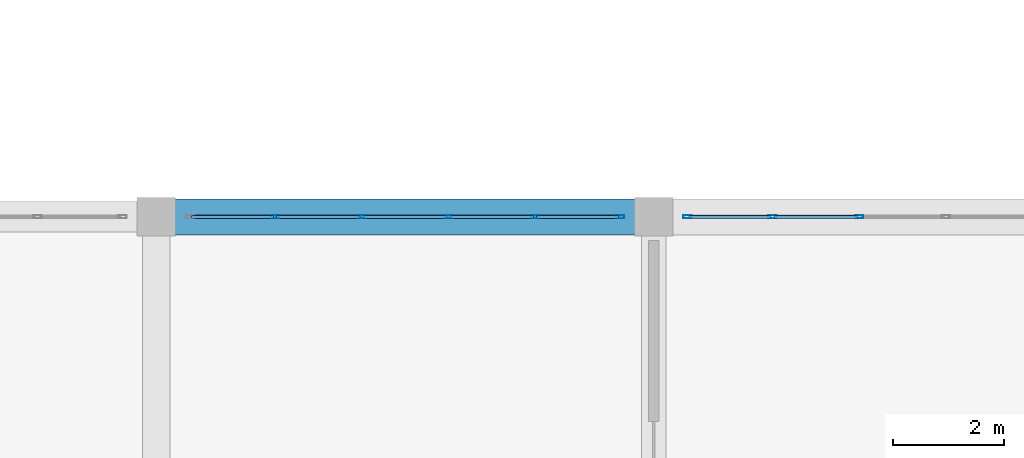
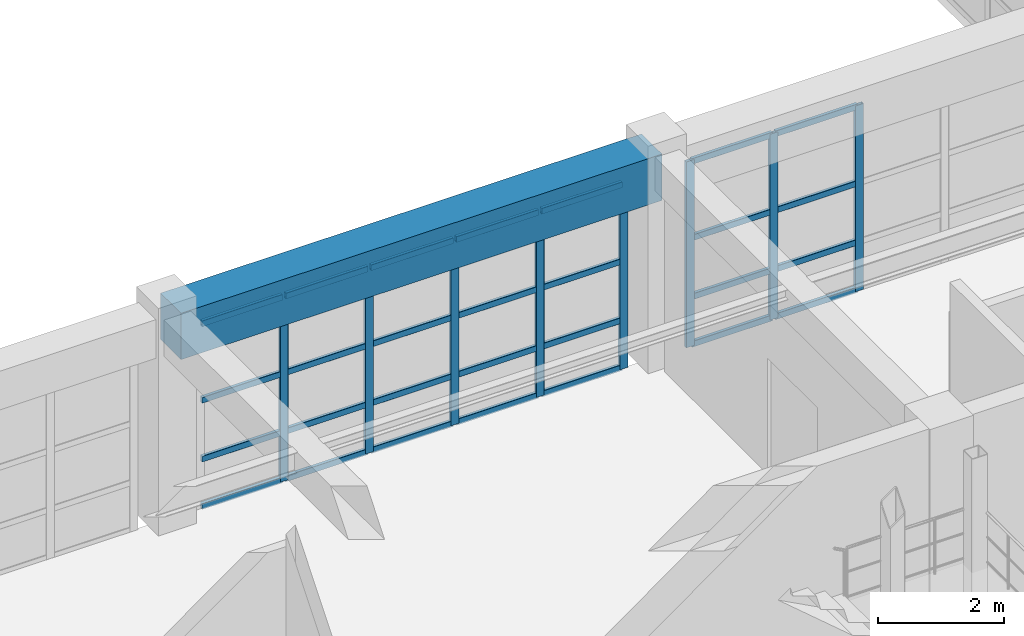
# One storey, part 58 of 133: 36 members, 1 beam, 2 elements without a shape of their own.
"""IFC4 building model written with IfcOpenShell, lengths in metres."""

from ifc_helpers import new_model, si_unit, direction, frame, origin, origin_2d, place, context, subcontext, project, spatial, rectangle, hollow_rectangle, extrude, material, material_profile, profile_set, type_object, element, aggregate, save


model = new_model("IFC4")

# Units and contexts
model_context = context("Model", 3, precision=1e-05, world=origin(), true_north=direction((0.0, 1.0)))
body_context = subcontext(model_context, "Body", "Model", "MODEL_VIEW")
ifc_project = project(units=[si_unit("LENGTHUNIT", "METRE"), si_unit("AREAUNIT", "SQUARE_METRE"), si_unit("VOLUMEUNIT", "CUBIC_METRE"), si_unit("PLANEANGLEUNIT", "RADIAN"), si_unit("MASSUNIT", "GRAM", prefix="KILO")], contexts=[model_context])

# Site, building, storey
site_placement = place(None, origin())
site = spatial("IfcSite", under=ifc_project, at=site_placement, CompositionType="ELEMENT")
building_placement = place(site_placement, origin())
building = spatial("IfcBuilding", under=site, at=building_placement, Name="Miravela Opera House", CompositionType="ELEMENT")
storey_placement = place(building_placement, frame((0.0, 0.0, 5.10009765625)))
storey = spatial("IfcBuildingStorey", under=building, at=storey_placement, Name="L01", CompositionType="ELEMENT", Elevation=5.10009765625)

# Curtain wall, members
ifc_material_1 = material(Name="Anodised architectural bronze aluminium 6063-T6", Category="aluminium")
curtain_wall_type = type_object("IfcCurtainWallType", Name="ARC-CW-05", PredefinedType="NOTDEFINED", material=ifc_material_1)
curtain_wall_1_placement = place(storey_placement, origin())
curtain_wall_1 = element("IfcCurtainWall", 1, at=curtain_wall_1_placement, inside=storey, type_object=curtain_wall_type, Name="Courtyard Arcade Curtain Wall CW-L01-081", PredefinedType="NOTDEFINED")
ifc_material_profile_1 = material_profile(ifc_material_1, hollow_rectangle(XDim=0.06005859375, YDim=0.14990234375, WallThickness=0.00390625, InnerFilletRadius=0.001953125, OuterFilletRadius=0.00390625, at=origin_2d()), Name="CWM-60X150")
ifc_profile_set_1 = profile_set([ifc_material_profile_1])
member_type_1 = type_object("IfcMemberType", Name="ARC-CWM-150", PredefinedType="MULLION", material=ifc_profile_set_1)
member_1_placement = place(storey_placement, frame((47.14794921875, 84.0, 0.0), z_axis=(0.0, 0.0, 1.0), x_axis=(0.0, 1.0, 0.0)))
member_1 = element("IfcMember", 2, at=member_1_placement, type_object=member_type_1, Name="CW-05 mullion 2", PredefinedType="MULLION", context=body_context, shape_type="SweptSolid", body=[
    extrude(hollow_rectangle(XDim=0.06005859375, YDim=0.14990234375, WallThickness=0.00390625, InnerFilletRadius=0.001953125, OuterFilletRadius=0.00390625, at=origin_2d()), origin(), (0.0, 0.0, 1.0), 3.60986328125),
])
member_2_placement = place(storey_placement, frame((48.716064453125, 84.0, 0.0), z_axis=(0.0, 0.0, 1.0), x_axis=(0.0, 1.0, 0.0)))
member_2 = element("IfcMember", 3, at=member_2_placement, type_object=member_type_1, Name="CW-05 mullion 3", PredefinedType="MULLION", context=body_context, shape_type="SweptSolid", body=[
    extrude(hollow_rectangle(XDim=0.06005859375, YDim=0.14990234375, WallThickness=0.00390625, InnerFilletRadius=0.001953125, OuterFilletRadius=0.00390625, at=origin_2d()), origin(), (0.0, 0.0, 1.0), 3.60986328125),
])
member_3_placement = place(storey_placement, frame((50.283935546875, 84.0, 0.0), z_axis=(0.0, 0.0, 1.0), x_axis=(0.0, 1.0, 0.0)))
member_3 = element("IfcMember", 4, at=member_3_placement, type_object=member_type_1, Name="CW-05 mullion 4", PredefinedType="MULLION", context=body_context, shape_type="SweptSolid", body=[
    extrude(hollow_rectangle(XDim=0.06005859375, YDim=0.14990234375, WallThickness=0.00390625, InnerFilletRadius=0.001953125, OuterFilletRadius=0.00390625, at=origin_2d()), origin(), (0.0, 0.0, 1.0), 3.60986328125),
])
member_4_placement = place(storey_placement, frame((51.85205078125, 84.0, 0.0), z_axis=(0.0, 0.0, 1.0), x_axis=(0.0, 1.0, 0.0)))
member_4 = element("IfcMember", 5, at=member_4_placement, type_object=member_type_1, Name="CW-05 mullion 5", PredefinedType="MULLION", context=body_context, shape_type="SweptSolid", body=[
    extrude(hollow_rectangle(XDim=0.06005859375, YDim=0.14990234375, WallThickness=0.00390625, InnerFilletRadius=0.001953125, OuterFilletRadius=0.00390625, at=origin_2d()), origin(), (0.0, 0.0, 1.0), 3.60986328125),
])
member_5_placement = place(storey_placement, frame((53.389892578125, 84.0, 0.0), z_axis=(0.0, 0.0, 1.0), x_axis=(0.0, 1.0, 0.0)))
member_5 = element("IfcMember", 6, at=member_5_placement, type_object=member_type_1, Name="CW-05 mullion 6", PredefinedType="MULLION", context=body_context, shape_type="SweptSolid", body=[
    extrude(hollow_rectangle(XDim=0.06005859375, YDim=0.14990234375, WallThickness=0.00390625, InnerFilletRadius=0.001953125, OuterFilletRadius=0.00390625, at=origin_2d()), origin(), (0.0, 0.0, 1.0), 3.60986328125),
])

curtain_wall_2_placement = place(storey_placement, origin())
curtain_wall_2 = element("IfcCurtainWall", 7, at=curtain_wall_2_placement, inside=storey, type_object=curtain_wall_type, Name="Courtyard Arcade Curtain Wall CW-L01-083", PredefinedType="NOTDEFINED")
member_6_placement = place(storey_placement, frame((54.610107421875, 84.0, 0.0), z_axis=(0.0, 0.0, 1.0), x_axis=(0.0, 1.0, 0.0)))
member_6 = element("IfcMember", 8, at=member_6_placement, type_object=member_type_1, Name="CW-05 mullion 1", PredefinedType="MULLION", context=body_context, shape_type="SweptSolid", body=[
    extrude(hollow_rectangle(XDim=0.06005859375, YDim=0.14990234375, WallThickness=0.00390625, InnerFilletRadius=0.001953125, OuterFilletRadius=0.00390625, at=origin_2d()), origin(), (0.0, 0.0, 1.0), 3.60986328125),
])
member_7_placement = place(storey_placement, frame((56.14794921875, 84.0, 0.0), z_axis=(0.0, 0.0, 1.0), x_axis=(0.0, 1.0, 0.0)))
member_7 = element("IfcMember", 9, at=member_7_placement, type_object=member_type_1, Name="CW-05 mullion 2", PredefinedType="MULLION", context=body_context, shape_type="SweptSolid", body=[
    extrude(hollow_rectangle(XDim=0.06005859375, YDim=0.14990234375, WallThickness=0.00390625, InnerFilletRadius=0.001953125, OuterFilletRadius=0.00390625, at=origin_2d()), origin(), (0.0, 0.0, 1.0), 3.60986328125),
])
member_8_placement = place(storey_placement, frame((57.716064453125, 84.0, 0.0), z_axis=(0.0, 0.0, 1.0), x_axis=(0.0, 1.0, 0.0)))
member_8 = element("IfcMember", 10, at=member_8_placement, type_object=member_type_1, Name="CW-05 mullion 3", PredefinedType="MULLION", context=body_context, shape_type="SweptSolid", body=[
    extrude(hollow_rectangle(XDim=0.06005859375, YDim=0.14990234375, WallThickness=0.00390625, InnerFilletRadius=0.001953125, OuterFilletRadius=0.00390625, at=origin_2d()), origin(), (0.0, 0.0, 1.0), 3.60986328125),
])

# Member
ifc_material_profile_2 = material_profile(ifc_material_1, hollow_rectangle(XDim=0.06005859375, YDim=0.114990234375, WallThickness=0.00390625, InnerFilletRadius=0.001953125, OuterFilletRadius=0.00390625, at=origin_2d()), Name="CWT-60X115")
ifc_profile_set_2 = profile_set([ifc_material_profile_2])
member_type_2 = type_object("IfcMemberType", Name="ARC-CWT-115", PredefinedType="USERDEFINED", material=ifc_profile_set_2)
member_9_placement = place(storey_placement, frame((45.639892578125, 84.0, 0.02978515625), z_axis=(1.0, 0.0, 0.0), x_axis=(0.0, 1.0, 0.0)))
member_9 = element("IfcMember", 11, at=member_9_placement, type_object=member_type_2, Name="CW-05 transom 1.1", ObjectType="TRANSOM", PredefinedType="USERDEFINED", context=body_context, shape_type="SweptSolid", body=[
    extrude(hollow_rectangle(XDim=0.06005859375, YDim=0.114990234375, WallThickness=0.00390625, InnerFilletRadius=0.001953125, OuterFilletRadius=0.00390625, at=origin_2d()), origin(), (0.0, 0.0, 1.0), 1.47802734375),
])

member_10_placement = place(storey_placement, frame((45.639892578125, 84.0, 0.949951171875), z_axis=(1.0, 0.0, 0.0), x_axis=(0.0, 1.0, 0.0)))
member_10 = element("IfcMember", 12, at=member_10_placement, type_object=member_type_2, Name="CW-05 transom 1.2", ObjectType="TRANSOM", PredefinedType="USERDEFINED", context=body_context, shape_type="SweptSolid", body=[
    extrude(hollow_rectangle(XDim=0.06005859375, YDim=0.114990234375, WallThickness=0.00390625, InnerFilletRadius=0.001953125, OuterFilletRadius=0.00390625, at=origin_2d()), origin(), (0.0, 0.0, 1.0), 1.47802734375),
])

member_11_placement = place(storey_placement, frame((45.639892578125, 84.0, 2.09375), z_axis=(1.0, 0.0, 0.0), x_axis=(0.0, 1.0, 0.0)))
member_11 = element("IfcMember", 13, at=member_11_placement, type_object=member_type_2, Name="CW-05 transom 1.3", ObjectType="TRANSOM", PredefinedType="USERDEFINED", context=body_context, shape_type="SweptSolid", body=[
    extrude(hollow_rectangle(XDim=0.06005859375, YDim=0.114990234375, WallThickness=0.00390625, InnerFilletRadius=0.001953125, OuterFilletRadius=0.00390625, at=origin_2d()), origin(), (0.0, 0.0, 1.0), 1.47802734375),
])

member_12_placement = place(storey_placement, frame((45.639892578125, 84.0, 3.579833984375), z_axis=(1.0, 0.0, 0.0), x_axis=(0.0, 1.0, 0.0)))
member_12 = element("IfcMember", 14, at=member_12_placement, type_object=member_type_2, Name="CW-05 transom 1.4", ObjectType="TRANSOM", PredefinedType="USERDEFINED", context=body_context, shape_type="SweptSolid", body=[
    extrude(hollow_rectangle(XDim=0.06005859375, YDim=0.114990234375, WallThickness=0.00390625, InnerFilletRadius=0.001953125, OuterFilletRadius=0.00390625, at=origin_2d()), origin(), (0.0, 0.0, 1.0), 1.47802734375),
])

member_13_placement = place(storey_placement, frame((47.177978515625, 84.0, 0.02978515625), z_axis=(1.0, 0.0, 0.0), x_axis=(0.0, 1.0, 0.0)))
member_13 = element("IfcMember", 15, at=member_13_placement, type_object=member_type_2, Name="CW-05 transom 2.1", ObjectType="TRANSOM", PredefinedType="USERDEFINED", context=body_context, shape_type="SweptSolid", body=[
    extrude(hollow_rectangle(XDim=0.06005859375, YDim=0.114990234375, WallThickness=0.00390625, InnerFilletRadius=0.001953125, OuterFilletRadius=0.00390625, at=origin_2d()), origin(), (0.0, 0.0, 1.0), 1.508056640625),
])

member_14_placement = place(storey_placement, frame((47.177978515625, 84.0, 0.949951171875), z_axis=(1.0, 0.0, 0.0), x_axis=(0.0, 1.0, 0.0)))
member_14 = element("IfcMember", 16, at=member_14_placement, type_object=member_type_2, Name="CW-05 transom 2.2", ObjectType="TRANSOM", PredefinedType="USERDEFINED", context=body_context, shape_type="SweptSolid", body=[
    extrude(hollow_rectangle(XDim=0.06005859375, YDim=0.114990234375, WallThickness=0.00390625, InnerFilletRadius=0.001953125, OuterFilletRadius=0.00390625, at=origin_2d()), origin(), (0.0, 0.0, 1.0), 1.508056640625),
])

member_15_placement = place(storey_placement, frame((47.177978515625, 84.0, 2.09375), z_axis=(1.0, 0.0, 0.0), x_axis=(0.0, 1.0, 0.0)))
member_15 = element("IfcMember", 17, at=member_15_placement, type_object=member_type_2, Name="CW-05 transom 2.3", ObjectType="TRANSOM", PredefinedType="USERDEFINED", context=body_context, shape_type="SweptSolid", body=[
    extrude(hollow_rectangle(XDim=0.06005859375, YDim=0.114990234375, WallThickness=0.00390625, InnerFilletRadius=0.001953125, OuterFilletRadius=0.00390625, at=origin_2d()), origin(), (0.0, 0.0, 1.0), 1.508056640625),
])

member_16_placement = place(storey_placement, frame((47.177978515625, 84.0, 3.579833984375), z_axis=(1.0, 0.0, 0.0), x_axis=(0.0, 1.0, 0.0)))
member_16 = element("IfcMember", 18, at=member_16_placement, type_object=member_type_2, Name="CW-05 transom 2.4", ObjectType="TRANSOM", PredefinedType="USERDEFINED", context=body_context, shape_type="SweptSolid", body=[
    extrude(hollow_rectangle(XDim=0.06005859375, YDim=0.114990234375, WallThickness=0.00390625, InnerFilletRadius=0.001953125, OuterFilletRadius=0.00390625, at=origin_2d()), origin(), (0.0, 0.0, 1.0), 1.508056640625),
])

member_17_placement = place(storey_placement, frame((48.74609375, 84.0, 0.02978515625), z_axis=(1.0, 0.0, 0.0), x_axis=(0.0, 1.0, 0.0)))
member_17 = element("IfcMember", 19, at=member_17_placement, type_object=member_type_2, Name="CW-05 transom 3.1", ObjectType="TRANSOM", PredefinedType="USERDEFINED", context=body_context, shape_type="SweptSolid", body=[
    extrude(hollow_rectangle(XDim=0.06005859375, YDim=0.114990234375, WallThickness=0.00390625, InnerFilletRadius=0.001953125, OuterFilletRadius=0.00390625, at=origin_2d()), origin(), (0.0, 0.0, 1.0), 1.5078125),
])

member_18_placement = place(storey_placement, frame((48.74609375, 84.0, 0.949951171875), z_axis=(1.0, 0.0, 0.0), x_axis=(0.0, 1.0, 0.0)))
member_18 = element("IfcMember", 20, at=member_18_placement, type_object=member_type_2, Name="CW-05 transom 3.2", ObjectType="TRANSOM", PredefinedType="USERDEFINED", context=body_context, shape_type="SweptSolid", body=[
    extrude(hollow_rectangle(XDim=0.06005859375, YDim=0.114990234375, WallThickness=0.00390625, InnerFilletRadius=0.001953125, OuterFilletRadius=0.00390625, at=origin_2d()), origin(), (0.0, 0.0, 1.0), 1.5078125),
])

member_19_placement = place(storey_placement, frame((48.74609375, 84.0, 2.09375), z_axis=(1.0, 0.0, 0.0), x_axis=(0.0, 1.0, 0.0)))
member_19 = element("IfcMember", 21, at=member_19_placement, type_object=member_type_2, Name="CW-05 transom 3.3", ObjectType="TRANSOM", PredefinedType="USERDEFINED", context=body_context, shape_type="SweptSolid", body=[
    extrude(hollow_rectangle(XDim=0.06005859375, YDim=0.114990234375, WallThickness=0.00390625, InnerFilletRadius=0.001953125, OuterFilletRadius=0.00390625, at=origin_2d()), origin(), (0.0, 0.0, 1.0), 1.5078125),
])

member_20_placement = place(storey_placement, frame((48.74609375, 84.0, 3.579833984375), z_axis=(1.0, 0.0, 0.0), x_axis=(0.0, 1.0, 0.0)))
member_20 = element("IfcMember", 22, at=member_20_placement, type_object=member_type_2, Name="CW-05 transom 3.4", ObjectType="TRANSOM", PredefinedType="USERDEFINED", context=body_context, shape_type="SweptSolid", body=[
    extrude(hollow_rectangle(XDim=0.06005859375, YDim=0.114990234375, WallThickness=0.00390625, InnerFilletRadius=0.001953125, OuterFilletRadius=0.00390625, at=origin_2d()), origin(), (0.0, 0.0, 1.0), 1.5078125),
])

member_21_placement = place(storey_placement, frame((50.31396484375, 84.0, 0.02978515625), z_axis=(1.0, 0.0, 0.0), x_axis=(0.0, 1.0, 0.0)))
member_21 = element("IfcMember", 23, at=member_21_placement, type_object=member_type_2, Name="CW-05 transom 4.1", ObjectType="TRANSOM", PredefinedType="USERDEFINED", context=body_context, shape_type="SweptSolid", body=[
    extrude(hollow_rectangle(XDim=0.06005859375, YDim=0.114990234375, WallThickness=0.00390625, InnerFilletRadius=0.001953125, OuterFilletRadius=0.00390625, at=origin_2d()), origin(), (0.0, 0.0, 1.0), 1.508056640625),
])

member_22_placement = place(storey_placement, frame((50.31396484375, 84.0, 0.949951171875), z_axis=(1.0, 0.0, 0.0), x_axis=(0.0, 1.0, 0.0)))
member_22 = element("IfcMember", 24, at=member_22_placement, type_object=member_type_2, Name="CW-05 transom 4.2", ObjectType="TRANSOM", PredefinedType="USERDEFINED", context=body_context, shape_type="SweptSolid", body=[
    extrude(hollow_rectangle(XDim=0.06005859375, YDim=0.114990234375, WallThickness=0.00390625, InnerFilletRadius=0.001953125, OuterFilletRadius=0.00390625, at=origin_2d()), origin(), (0.0, 0.0, 1.0), 1.508056640625),
])

member_23_placement = place(storey_placement, frame((50.31396484375, 84.0, 2.09375), z_axis=(1.0, 0.0, 0.0), x_axis=(0.0, 1.0, 0.0)))
member_23 = element("IfcMember", 25, at=member_23_placement, type_object=member_type_2, Name="CW-05 transom 4.3", ObjectType="TRANSOM", PredefinedType="USERDEFINED", context=body_context, shape_type="SweptSolid", body=[
    extrude(hollow_rectangle(XDim=0.06005859375, YDim=0.114990234375, WallThickness=0.00390625, InnerFilletRadius=0.001953125, OuterFilletRadius=0.00390625, at=origin_2d()), origin(), (0.0, 0.0, 1.0), 1.508056640625),
])

member_24_placement = place(storey_placement, frame((50.31396484375, 84.0, 3.579833984375), z_axis=(1.0, 0.0, 0.0), x_axis=(0.0, 1.0, 0.0)))
member_24 = element("IfcMember", 26, at=member_24_placement, type_object=member_type_2, Name="CW-05 transom 4.4", ObjectType="TRANSOM", PredefinedType="USERDEFINED", context=body_context, shape_type="SweptSolid", body=[
    extrude(hollow_rectangle(XDim=0.06005859375, YDim=0.114990234375, WallThickness=0.00390625, InnerFilletRadius=0.001953125, OuterFilletRadius=0.00390625, at=origin_2d()), origin(), (0.0, 0.0, 1.0), 1.508056640625),
])

member_25_placement = place(storey_placement, frame((51.882080078125, 84.0, 0.02978515625), z_axis=(1.0, 0.0, 0.0), x_axis=(0.0, 1.0, 0.0)))
member_25 = element("IfcMember", 27, at=member_25_placement, type_object=member_type_2, Name="CW-05 transom 5.1", ObjectType="TRANSOM", PredefinedType="USERDEFINED", context=body_context, shape_type="SweptSolid", body=[
    extrude(hollow_rectangle(XDim=0.06005859375, YDim=0.114990234375, WallThickness=0.00390625, InnerFilletRadius=0.001953125, OuterFilletRadius=0.00390625, at=origin_2d()), origin(), (0.0, 0.0, 1.0), 1.47802734375),
])

member_26_placement = place(storey_placement, frame((51.882080078125, 84.0, 0.949951171875), z_axis=(1.0, 0.0, 0.0), x_axis=(0.0, 1.0, 0.0)))
member_26 = element("IfcMember", 28, at=member_26_placement, type_object=member_type_2, Name="CW-05 transom 5.2", ObjectType="TRANSOM", PredefinedType="USERDEFINED", context=body_context, shape_type="SweptSolid", body=[
    extrude(hollow_rectangle(XDim=0.06005859375, YDim=0.114990234375, WallThickness=0.00390625, InnerFilletRadius=0.001953125, OuterFilletRadius=0.00390625, at=origin_2d()), origin(), (0.0, 0.0, 1.0), 1.47802734375),
])

member_27_placement = place(storey_placement, frame((51.882080078125, 84.0, 2.09375), z_axis=(1.0, 0.0, 0.0), x_axis=(0.0, 1.0, 0.0)))
member_27 = element("IfcMember", 29, at=member_27_placement, type_object=member_type_2, Name="CW-05 transom 5.3", ObjectType="TRANSOM", PredefinedType="USERDEFINED", context=body_context, shape_type="SweptSolid", body=[
    extrude(hollow_rectangle(XDim=0.06005859375, YDim=0.114990234375, WallThickness=0.00390625, InnerFilletRadius=0.001953125, OuterFilletRadius=0.00390625, at=origin_2d()), origin(), (0.0, 0.0, 1.0), 1.47802734375),
])

member_28_placement = place(storey_placement, frame((51.882080078125, 84.0, 3.579833984375), z_axis=(1.0, 0.0, 0.0), x_axis=(0.0, 1.0, 0.0)))
member_28 = element("IfcMember", 30, at=member_28_placement, type_object=member_type_2, Name="CW-05 transom 5.4", ObjectType="TRANSOM", PredefinedType="USERDEFINED", context=body_context, shape_type="SweptSolid", body=[
    extrude(hollow_rectangle(XDim=0.06005859375, YDim=0.114990234375, WallThickness=0.00390625, InnerFilletRadius=0.001953125, OuterFilletRadius=0.00390625, at=origin_2d()), origin(), (0.0, 0.0, 1.0), 1.47802734375),
])

aggregate(curtain_wall_1, [member_1, member_2, member_3, member_4, member_5, member_9, member_10, member_11, member_12, member_13, member_14, member_15, member_16, member_17, member_18, member_19, member_20, member_21, member_22, member_23, member_24, member_25, member_26, member_27, member_28])

member_29_placement = place(storey_placement, frame((54.639892578125, 84.0, 0.02978515625), z_axis=(1.0, 0.0, 0.0), x_axis=(0.0, 1.0, 0.0)))
member_29 = element("IfcMember", 31, at=member_29_placement, type_object=member_type_2, Name="CW-05 transom 1.1", ObjectType="TRANSOM", PredefinedType="USERDEFINED", context=body_context, shape_type="SweptSolid", body=[
    extrude(hollow_rectangle(XDim=0.06005859375, YDim=0.114990234375, WallThickness=0.00390625, InnerFilletRadius=0.001953125, OuterFilletRadius=0.00390625, at=origin_2d()), origin(), (0.0, 0.0, 1.0), 1.47802734375),
])

member_30_placement = place(storey_placement, frame((54.639892578125, 84.0, 0.949951171875), z_axis=(1.0, 0.0, 0.0), x_axis=(0.0, 1.0, 0.0)))
member_30 = element("IfcMember", 32, at=member_30_placement, type_object=member_type_2, Name="CW-05 transom 1.2", ObjectType="TRANSOM", PredefinedType="USERDEFINED", context=body_context, shape_type="SweptSolid", body=[
    extrude(hollow_rectangle(XDim=0.06005859375, YDim=0.114990234375, WallThickness=0.00390625, InnerFilletRadius=0.001953125, OuterFilletRadius=0.00390625, at=origin_2d()), origin(), (0.0, 0.0, 1.0), 1.47802734375),
])

member_31_placement = place(storey_placement, frame((54.639892578125, 84.0, 2.09375), z_axis=(1.0, 0.0, 0.0), x_axis=(0.0, 1.0, 0.0)))
member_31 = element("IfcMember", 33, at=member_31_placement, type_object=member_type_2, Name="CW-05 transom 1.3", ObjectType="TRANSOM", PredefinedType="USERDEFINED", context=body_context, shape_type="SweptSolid", body=[
    extrude(hollow_rectangle(XDim=0.06005859375, YDim=0.114990234375, WallThickness=0.00390625, InnerFilletRadius=0.001953125, OuterFilletRadius=0.00390625, at=origin_2d()), origin(), (0.0, 0.0, 1.0), 1.47802734375),
])

member_32_placement = place(storey_placement, frame((54.639892578125, 84.0, 3.579833984375), z_axis=(1.0, 0.0, 0.0), x_axis=(0.0, 1.0, 0.0)))
member_32 = element("IfcMember", 34, at=member_32_placement, type_object=member_type_2, Name="CW-05 transom 1.4", ObjectType="TRANSOM", PredefinedType="USERDEFINED", context=body_context, shape_type="SweptSolid", body=[
    extrude(hollow_rectangle(XDim=0.06005859375, YDim=0.114990234375, WallThickness=0.00390625, InnerFilletRadius=0.001953125, OuterFilletRadius=0.00390625, at=origin_2d()), origin(), (0.0, 0.0, 1.0), 1.47802734375),
])

member_33_placement = place(storey_placement, frame((56.177978515625, 84.0, 0.02978515625), z_axis=(1.0, 0.0, 0.0), x_axis=(0.0, 1.0, 0.0)))
member_33 = element("IfcMember", 35, at=member_33_placement, type_object=member_type_2, Name="CW-05 transom 2.1", ObjectType="TRANSOM", PredefinedType="USERDEFINED", context=body_context, shape_type="SweptSolid", body=[
    extrude(hollow_rectangle(XDim=0.06005859375, YDim=0.114990234375, WallThickness=0.00390625, InnerFilletRadius=0.001953125, OuterFilletRadius=0.00390625, at=origin_2d()), origin(), (0.0, 0.0, 1.0), 1.508056640625),
])

member_34_placement = place(storey_placement, frame((56.177978515625, 84.0, 0.949951171875), z_axis=(1.0, 0.0, 0.0), x_axis=(0.0, 1.0, 0.0)))
member_34 = element("IfcMember", 36, at=member_34_placement, type_object=member_type_2, Name="CW-05 transom 2.2", ObjectType="TRANSOM", PredefinedType="USERDEFINED", context=body_context, shape_type="SweptSolid", body=[
    extrude(hollow_rectangle(XDim=0.06005859375, YDim=0.114990234375, WallThickness=0.00390625, InnerFilletRadius=0.001953125, OuterFilletRadius=0.00390625, at=origin_2d()), origin(), (0.0, 0.0, 1.0), 1.508056640625),
])

member_35_placement = place(storey_placement, frame((56.177978515625, 84.0, 2.09375), z_axis=(1.0, 0.0, 0.0), x_axis=(0.0, 1.0, 0.0)))
member_35 = element("IfcMember", 37, at=member_35_placement, type_object=member_type_2, Name="CW-05 transom 2.3", ObjectType="TRANSOM", PredefinedType="USERDEFINED", context=body_context, shape_type="SweptSolid", body=[
    extrude(hollow_rectangle(XDim=0.06005859375, YDim=0.114990234375, WallThickness=0.00390625, InnerFilletRadius=0.001953125, OuterFilletRadius=0.00390625, at=origin_2d()), origin(), (0.0, 0.0, 1.0), 1.508056640625),
])

member_36_placement = place(storey_placement, frame((56.177978515625, 84.0, 3.579833984375), z_axis=(1.0, 0.0, 0.0), x_axis=(0.0, 1.0, 0.0)))
member_36 = element("IfcMember", 38, at=member_36_placement, type_object=member_type_2, Name="CW-05 transom 2.4", ObjectType="TRANSOM", PredefinedType="USERDEFINED", context=body_context, shape_type="SweptSolid", body=[
    extrude(hollow_rectangle(XDim=0.06005859375, YDim=0.114990234375, WallThickness=0.00390625, InnerFilletRadius=0.001953125, OuterFilletRadius=0.00390625, at=origin_2d()), origin(), (0.0, 0.0, 1.0), 1.508056640625),
])

aggregate(curtain_wall_2, [member_6, member_7, member_8, member_29, member_30, member_31, member_32, member_33, member_34, member_35, member_36])

# Beam
ifc_material_2 = material(Name="Concrete C40/50", Category="concrete")
ifc_material_profile_3 = material_profile(ifc_material_2, rectangle(XDim=0.64990234375, YDim=0.89990234375, at=origin_2d()), Name="RC-BM-650X900")
ifc_profile_set_3 = profile_set([ifc_material_profile_3])
beam_type = type_object("IfcBeamType", Name="STR-BM-RC650X900", PredefinedType="BEAM", material=ifc_profile_set_3)
beam_placement = place(storey_placement, frame((45.080078125, 84.0, 3.7099609375), z_axis=(1.0, 0.0, 0.0), x_axis=(0.0, 1.0, 0.0)))
element("IfcBeam", 39, at=beam_placement, inside=storey, type_object=beam_type, Name="Floor Girder L01 6-7/J", PredefinedType="BEAM", context=body_context, shape_type="SweptSolid", body=[
    extrude(rectangle(XDim=0.64990234375, YDim=0.89990234375, at=origin_2d()), origin(), (0.0, 0.0, 1.0), 8.83984375),
])

save(model, "model.ifc")
